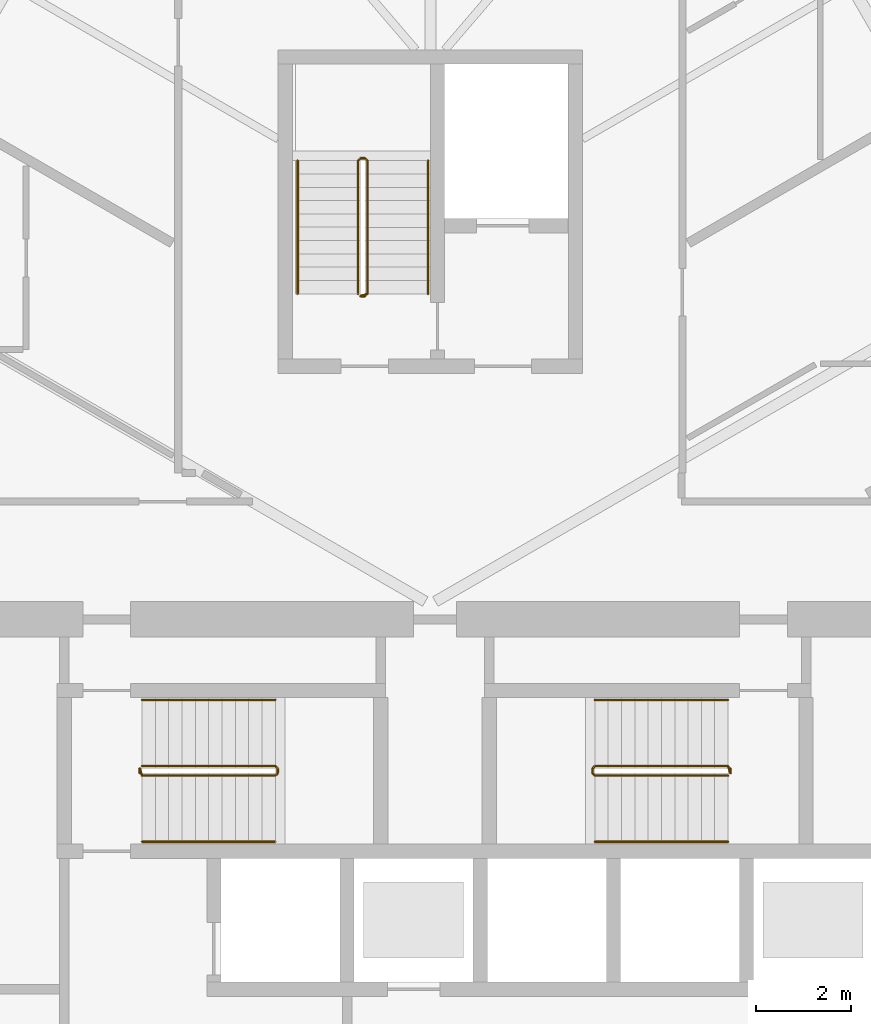
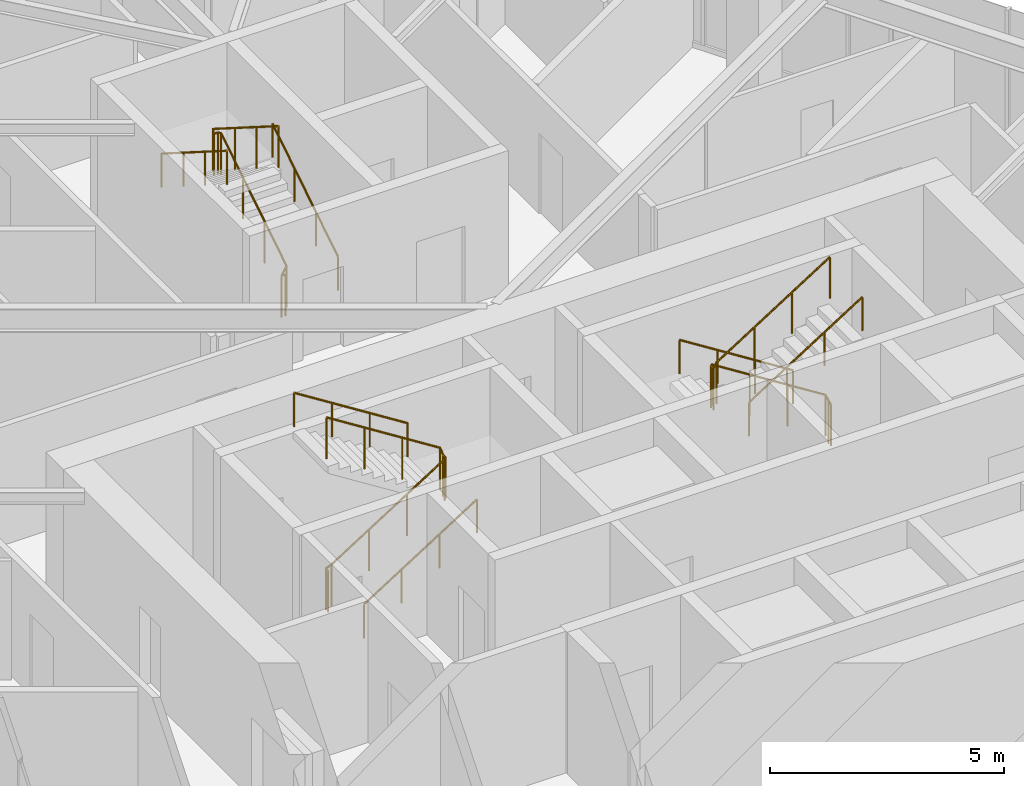
# One storey, part 23 of 24: 9 railings.
"""IFC4 building model written with IfcOpenShell, lengths in metres."""

from ifc_helpers import new_model, si_unit, direction, frame, origin, origin_2d, place, context, subcontext, project, spatial, circle, extrude, material, type_object, element, save


model = new_model("IFC4")

# Units and contexts
model_context = context("Model", 3, precision=1e-05, world=origin(), true_north=direction((0.0, 1.0)))
body_context = subcontext(model_context, "Body", "Model", "MODEL_VIEW")
ifc_project = project(units=[si_unit("LENGTHUNIT", "METRE"), si_unit("AREAUNIT", "SQUARE_METRE"), si_unit("VOLUMEUNIT", "CUBIC_METRE"), si_unit("PLANEANGLEUNIT", "RADIAN"), si_unit("MASSUNIT", "GRAM", prefix="KILO")], contexts=[model_context])

# Site, building, storey
site_placement = place(None, origin())
site = spatial("IfcSite", under=ifc_project, at=site_placement, CompositionType="ELEMENT")
building_placement = place(site_placement, origin())
building = spatial("IfcBuilding", under=site, at=building_placement, Name="Firuza Gate Tower and Library", CompositionType="ELEMENT")
storey_placement = place(building_placement, frame((0.0, 0.0, 206.5)))
storey = spatial("IfcBuildingStorey", under=building, at=storey_placement, Name="L48", CompositionType="ELEMENT", Elevation=206.5)

# Railings
ifc_material_1 = material(Name="Steel S355", Category="steel")
railing_type_1 = type_object("IfcRailingType", Name="Stair guard 1100", PredefinedType="GUARDRAIL", material=ifc_material_1)
railing_1_placement = place(storey_placement, frame((68.889892578125, 79.389892578125, 0.0)))
element("IfcRailing", 1, at=railing_1_placement, inside=storey, type_object=railing_type_1, Name="L48 ST1 stair guard 1", PredefinedType="GUARDRAIL", context=body_context, shape_type="SweptSolid", body=[
    extrude(circle(Radius=0.02392578125, at=origin_2d()), frame((0.0, 0.0, 1.076171875), z_axis=(0.0, 1.0, 0.0), x_axis=(-1.0, 0.0, 0.0)), (0.0, 0.0, 1.0), 0.10009765625),
    extrude(circle(Radius=0.02392578125, at=origin_2d()), frame((0.0, 0.10009765625, 1.076171875), z_axis=(0.210758951027, -0.631248760638, 0.74639511437), x_axis=(0.948528701346, 0.316691178788, 0.0)), (0.0, 0.0, 1.0), 0.237548828125),
    extrude(circle(Radius=0.02392578125, at=origin_2d()), frame((0.050048828125, -0.0498046875, 1.25341796875), z_axis=(0.844908973607, 0.0, 0.534910110503), x_axis=(0.0, 1.0, 0.0)), (0.0, 0.0, 1.0), 3.31396484375),
    extrude(circle(Radius=0.02392578125, at=origin_2d()), frame((2.85009765625, -0.0498046875, 3.02587890625), z_axis=(0.708833529934, 0.705375805398, 0.0), x_axis=(-0.705375805398, 0.708833529934, 0.0)), (0.0, 0.0, 1.0), 0.070556640625),
    extrude(circle(Radius=0.02392578125, at=origin_2d()), frame((2.900146484375, 0.0, 3.02587890625), z_axis=(0.0, 1.0, 0.0), x_axis=(-1.0, 0.0, 0.0)), (0.0, 0.0, 1.0), 0.10009765625),
    extrude(circle(Radius=0.02392578125, at=origin_2d()), frame((2.900146484375, 0.10009765625, 3.02587890625), z_axis=(-0.262233686654, 0.262233686654, 0.928691007369), x_axis=(-0.707106781187, -0.707106781187, 0.0)), (0.0, 0.0, 1.0), 0.19091796875),
    extrude(circle(Radius=0.02392578125, at=origin_2d()), frame((2.85009765625, 0.150146484375, 3.203125), z_axis=(-0.844908973607, 0.0, 0.534910110503), x_axis=(0.0, -1.0, 0.0)), (0.0, 0.0, 1.0), 3.31396484375),
    extrude(circle(Radius=0.02099609375, at=origin_2d()), origin(), (0.0, 0.0, 1.0), 1.052001953125),
    extrude(circle(Radius=0.02099609375, at=origin_2d()), frame((0.0, 0.10009765625, 0.0)), (0.0, 0.0, 1.0), 1.052001953125),
    extrude(circle(Radius=0.02099609375, at=origin_2d()), frame((0.050048828125, -0.0498046875, 0.17724609375)), (0.0, 0.0, 1.0), 1.052001953125),
    extrude(circle(Radius=0.02099609375, at=origin_2d()), frame((0.9833984375, -0.0498046875, 0.76806640625)), (0.0, 0.0, 1.0), 1.052001953125),
    extrude(circle(Radius=0.02099609375, at=origin_2d()), frame((1.916748046875, -0.0498046875, 1.359130859375)), (0.0, 0.0, 1.0), 1.052001953125),
    extrude(circle(Radius=0.02099609375, at=origin_2d()), frame((2.85009765625, -0.0498046875, 1.949951171875)), (0.0, 0.0, 1.0), 1.052001953125),
    extrude(circle(Radius=0.02099609375, at=origin_2d()), frame((2.900146484375, 0.0, 1.949951171875)), (0.0, 0.0, 1.0), 1.052001953125),
    extrude(circle(Radius=0.02099609375, at=origin_2d()), frame((2.900146484375, 0.10009765625, 1.949951171875)), (0.0, 0.0, 1.0), 1.052001953125),
    extrude(circle(Radius=0.02099609375, at=origin_2d()), frame((2.85009765625, 0.150146484375, 2.127197265625)), (0.0, 0.0, 1.0), 1.052001953125),
    extrude(circle(Radius=0.02099609375, at=origin_2d()), frame((1.916748046875, 0.150146484375, 2.718017578125)), (0.0, 0.0, 1.0), 1.052001953125),
    extrude(circle(Radius=0.02099609375, at=origin_2d()), frame((0.9833984375, 0.150146484375, 3.30908203125)), (0.0, 0.0, 1.0), 1.052001953125),
    extrude(circle(Radius=0.02099609375, at=origin_2d()), frame((0.050048828125, 0.150146484375, 3.89990234375)), (0.0, 0.0, 1.0), 1.052001953125),
])
railing_2_placement = place(storey_placement, frame((81.31005859375, 79.489990234375, 0.0)))
element("IfcRailing", 2, at=railing_2_placement, inside=storey, type_object=railing_type_1, Name="L48 ST2 stair guard 1", PredefinedType="GUARDRAIL", context=body_context, shape_type="SweptSolid", body=[
    extrude(circle(Radius=0.02392578125, at=origin_2d()), frame((0.0, 0.0, 1.076171875), z_axis=(0.0, -1.0, 0.0), x_axis=(1.0, 0.0, 0.0)), (0.0, 0.0, 1.0), 0.10009765625),
    extrude(circle(Radius=0.02392578125, at=origin_2d()), frame((0.0, -0.10009765625, 1.076171875), z_axis=(-0.210622194084, 0.631866582253, 0.74591079466), x_axis=(-0.948683298051, -0.316227766017, 0.0)), (0.0, 0.0, 1.0), 0.237548828125),
    extrude(circle(Radius=0.02392578125, at=origin_2d()), frame((-0.050048828125, 0.050048828125, 1.25341796875), z_axis=(-0.844908973607, 0.0, 0.534910110503), x_axis=(0.0, -1.0, 0.0)), (0.0, 0.0, 1.0), 3.31396484375),
    extrude(circle(Radius=0.02392578125, at=origin_2d()), frame((-2.85009765625, 0.050048828125, 3.02587890625), z_axis=(-0.707106781187, -0.707106781187, 0.0), x_axis=(0.707106781187, -0.707106781187, 0.0)), (0.0, 0.0, 1.0), 0.07080078125),
    extrude(circle(Radius=0.02392578125, at=origin_2d()), frame((-2.900146484375, 0.0, 3.02587890625), z_axis=(0.0, -1.0, 0.0), x_axis=(1.0, 0.0, 0.0)), (0.0, 0.0, 1.0), 0.10009765625),
    extrude(circle(Radius=0.02392578125, at=origin_2d()), frame((-2.900146484375, -0.10009765625, 3.02587890625), z_axis=(0.262321481514, -0.261041864531, 0.929001929653), x_axis=(0.705375805398, 0.708833529934, 0.0)), (0.0, 0.0, 1.0), 0.190673828125),
    extrude(circle(Radius=0.02392578125, at=origin_2d()), frame((-2.85009765625, -0.14990234375, 3.203125), z_axis=(0.844908973607, 0.0, 0.534910110503), x_axis=(0.0, 1.0, 0.0)), (0.0, 0.0, 1.0), 3.31396484375),
    extrude(circle(Radius=0.02099609375, at=origin_2d()), origin(), (0.0, 0.0, 1.0), 1.052001953125),
    extrude(circle(Radius=0.02099609375, at=origin_2d()), frame((0.0, -0.10009765625, 0.0)), (0.0, 0.0, 1.0), 1.052001953125),
    extrude(circle(Radius=0.02099609375, at=origin_2d()), frame((-0.050048828125, 0.050048828125, 0.17724609375)), (0.0, 0.0, 1.0), 1.052001953125),
    extrude(circle(Radius=0.02099609375, at=origin_2d()), frame((-0.9833984375, 0.050048828125, 0.76806640625)), (0.0, 0.0, 1.0), 1.052001953125),
    extrude(circle(Radius=0.02099609375, at=origin_2d()), frame((-1.916748046875, 0.050048828125, 1.359130859375)), (0.0, 0.0, 1.0), 1.052001953125),
    extrude(circle(Radius=0.02099609375, at=origin_2d()), frame((-2.85009765625, 0.050048828125, 1.949951171875)), (0.0, 0.0, 1.0), 1.052001953125),
    extrude(circle(Radius=0.02099609375, at=origin_2d()), frame((-2.900146484375, 0.0, 1.949951171875)), (0.0, 0.0, 1.0), 1.052001953125),
    extrude(circle(Radius=0.02099609375, at=origin_2d()), frame((-2.900146484375, -0.10009765625, 1.949951171875)), (0.0, 0.0, 1.0), 1.052001953125),
    extrude(circle(Radius=0.02099609375, at=origin_2d()), frame((-2.85009765625, -0.14990234375, 2.127197265625)), (0.0, 0.0, 1.0), 1.052001953125),
    extrude(circle(Radius=0.02099609375, at=origin_2d()), frame((-1.916748046875, -0.14990234375, 2.718017578125)), (0.0, 0.0, 1.0), 1.052001953125),
    extrude(circle(Radius=0.02099609375, at=origin_2d()), frame((-0.9833984375, -0.14990234375, 3.30908203125)), (0.0, 0.0, 1.0), 1.052001953125),
    extrude(circle(Radius=0.02099609375, at=origin_2d()), frame((-0.050048828125, -0.14990234375, 3.89990234375)), (0.0, 0.0, 1.0), 1.052001953125),
])
railing_3_placement = place(storey_placement, frame((73.6298828125, 89.419921875, 0.0)))
element("IfcRailing", 3, at=railing_3_placement, inside=storey, type_object=railing_type_1, Name="L48 ST3 stair guard 1", PredefinedType="GUARDRAIL", context=body_context, shape_type="SweptSolid", body=[
    extrude(circle(Radius=0.02392578125, at=origin_2d()), frame((0.0, 0.0, 1.076171875), z_axis=(-1.0, 0.0, 0.0), x_axis=(0.0, -1.0, 0.0)), (0.0, 0.0, 1.0), 0.099853515625),
    extrude(circle(Radius=0.02392578125, at=origin_2d()), frame((-0.099853515625, 0.0, 1.076171875), z_axis=(0.631248760638, 0.210758951027, 0.74639511437), x_axis=(-0.316691178788, 0.948528701346, 0.0)), (0.0, 0.0, 1.0), 0.237548828125),
    extrude(circle(Radius=0.02392578125, at=origin_2d()), frame((0.050048828125, 0.050048828125, 1.25341796875), z_axis=(0.0, 0.844908973607, 0.534910110503), x_axis=(-1.0, 0.0, 0.0)), (0.0, 0.0, 1.0), 3.31396484375),
    extrude(circle(Radius=0.02392578125, at=origin_2d()), frame((0.050048828125, 2.85009765625, 3.02587890625), z_axis=(-0.707106781187, 0.707106781187, 0.0), x_axis=(-0.707106781187, -0.707106781187, 0.0)), (0.0, 0.0, 1.0), 0.07080078125),
    extrude(circle(Radius=0.02392578125, at=origin_2d()), frame((0.0, 2.900146484375, 3.02587890625), z_axis=(-1.0, 0.0, 0.0), x_axis=(0.0, -1.0, 0.0)), (0.0, 0.0, 1.0), 0.099853515625),
    extrude(circle(Radius=0.02392578125, at=origin_2d()), frame((-0.099853515625, 2.900146484375, 3.02587890625), z_axis=(-0.262233686654, -0.262233686654, 0.928691007369), x_axis=(0.707106781187, -0.707106781187, 0.0)), (0.0, 0.0, 1.0), 0.19091796875),
    extrude(circle(Radius=0.02392578125, at=origin_2d()), frame((-0.14990234375, 2.85009765625, 3.203125), z_axis=(0.0, -0.844908973607, 0.534910110503), x_axis=(1.0, 0.0, 0.0)), (0.0, 0.0, 1.0), 3.31396484375),
    extrude(circle(Radius=0.02099609375, at=origin_2d()), origin(), (0.0, 0.0, 1.0), 1.052001953125),
    extrude(circle(Radius=0.02099609375, at=origin_2d()), frame((-0.099853515625, 0.0, 0.0)), (0.0, 0.0, 1.0), 1.052001953125),
    extrude(circle(Radius=0.02099609375, at=origin_2d()), frame((0.050048828125, 0.050048828125, 0.17724609375)), (0.0, 0.0, 1.0), 1.052001953125),
    extrude(circle(Radius=0.02099609375, at=origin_2d()), frame((0.050048828125, 0.9833984375, 0.76806640625)), (0.0, 0.0, 1.0), 1.052001953125),
    extrude(circle(Radius=0.02099609375, at=origin_2d()), frame((0.050048828125, 1.916748046875, 1.359130859375)), (0.0, 0.0, 1.0), 1.052001953125),
    extrude(circle(Radius=0.02099609375, at=origin_2d()), frame((0.050048828125, 2.85009765625, 1.949951171875)), (0.0, 0.0, 1.0), 1.052001953125),
    extrude(circle(Radius=0.02099609375, at=origin_2d()), frame((0.0, 2.900146484375, 1.949951171875)), (0.0, 0.0, 1.0), 1.052001953125),
    extrude(circle(Radius=0.02099609375, at=origin_2d()), frame((-0.099853515625, 2.900146484375, 1.949951171875)), (0.0, 0.0, 1.0), 1.052001953125),
    extrude(circle(Radius=0.02099609375, at=origin_2d()), frame((-0.14990234375, 2.85009765625, 2.127197265625)), (0.0, 0.0, 1.0), 1.052001953125),
    extrude(circle(Radius=0.02099609375, at=origin_2d()), frame((-0.14990234375, 1.916748046875, 2.718017578125)), (0.0, 0.0, 1.0), 1.052001953125),
    extrude(circle(Radius=0.02099609375, at=origin_2d()), frame((-0.14990234375, 0.9833984375, 3.30908203125)), (0.0, 0.0, 1.0), 1.052001953125),
    extrude(circle(Radius=0.02099609375, at=origin_2d()), frame((-0.14990234375, 0.050048828125, 3.89990234375)), (0.0, 0.0, 1.0), 1.052001953125),
])
ifc_material_2 = material(Name="Steel S355", Category="steel")
railing_type_2 = type_object("IfcRailingType", Name="Stair handrail 900", PredefinedType="HANDRAIL", material=ifc_material_2)
railing_4_placement = place(storey_placement, frame((68.93994140625, 77.949951171875, 0.17724609375)))
element("IfcRailing", 4, at=railing_4_placement, inside=storey, type_object=railing_type_2, Name="L48 ST1 stair handrail 1", PredefinedType="HANDRAIL", context=body_context, shape_type="SweptSolid", body=[
    extrude(circle(Radius=0.02392578125, at=origin_2d()), frame((0.0, 0.0, 0.8759765625), z_axis=(0.844908973607, 0.0, 0.534910110503), x_axis=(0.0, 1.0, 0.0)), (0.0, 0.0, 1.0), 3.31396484375),
    extrude(circle(Radius=0.02099609375, at=origin_2d()), origin(), (0.0, 0.0, 1.0), 0.851806640625),
    extrude(circle(Radius=0.02099609375, at=origin_2d()), frame((0.933349609375, 0.0, 0.5908203125)), (0.0, 0.0, 1.0), 0.851806640625),
    extrude(circle(Radius=0.02099609375, at=origin_2d()), frame((1.86669921875, 0.0, 1.181884765625)), (0.0, 0.0, 1.0), 0.851806640625),
    extrude(circle(Radius=0.02099609375, at=origin_2d()), frame((2.800048828125, 0.0, 1.772705078125)), (0.0, 0.0, 1.0), 0.851806640625),
])
for number, where, name in (
    (5, (71.739990234375, 80.929931640625, 2.127197265625), "L48 ST1 stair handrail 2"),
    (6, (81.260009765625, 80.929931640625, 0.17724609375), "L48 ST2 stair handrail 1"),
):
    element("IfcRailing", number, at=place(storey_placement, frame(where)), inside=storey, type_object=railing_type_2, Name=name, PredefinedType="HANDRAIL", context=body_context, shape_type="SweptSolid", body=[
        extrude(circle(Radius=0.02392578125, at=origin_2d()), frame((0.0, 0.0, 0.8759765625), z_axis=(-0.844908973607, 0.0, 0.534910110503), x_axis=(0.0, -1.0, 0.0)), (0.0, 0.0, 1.0), 3.31396484375),
        extrude(circle(Radius=0.02099609375, at=origin_2d()), origin(), (0.0, 0.0, 1.0), 0.851806640625),
        extrude(circle(Radius=0.02099609375, at=origin_2d()), frame((-0.933349609375, 0.0, 0.5908203125)), (0.0, 0.0, 1.0), 0.851806640625),
        extrude(circle(Radius=0.02099609375, at=origin_2d()), frame((-1.86669921875, 0.0, 1.181884765625)), (0.0, 0.0, 1.0), 0.851806640625),
        extrude(circle(Radius=0.02099609375, at=origin_2d()), frame((-2.800048828125, 0.0, 1.772705078125)), (0.0, 0.0, 1.0), 0.851806640625),
    ])
railing_5_placement = place(storey_placement, frame((78.4599609375, 77.949951171875, 2.127197265625)))
element("IfcRailing", 7, at=railing_5_placement, inside=storey, type_object=railing_type_2, Name="L48 ST2 stair handrail 2", PredefinedType="HANDRAIL", context=body_context, shape_type="SweptSolid", body=[
    extrude(circle(Radius=0.02392578125, at=origin_2d()), frame((0.0, 0.0, 0.8759765625), z_axis=(0.844908973607, 0.0, 0.534910110503), x_axis=(0.0, 1.0, 0.0)), (0.0, 0.0, 1.0), 3.31396484375),
    extrude(circle(Radius=0.02099609375, at=origin_2d()), origin(), (0.0, 0.0, 1.0), 0.851806640625),
    extrude(circle(Radius=0.02099609375, at=origin_2d()), frame((0.933349609375, 0.0, 0.5908203125)), (0.0, 0.0, 1.0), 0.851806640625),
    extrude(circle(Radius=0.02099609375, at=origin_2d()), frame((1.86669921875, 0.0, 1.181884765625)), (0.0, 0.0, 1.0), 0.851806640625),
    extrude(circle(Radius=0.02099609375, at=origin_2d()), frame((2.800048828125, 0.0, 1.772705078125)), (0.0, 0.0, 1.0), 0.851806640625),
])
railing_6_placement = place(storey_placement, frame((74.949951171875, 89.469970703125, 0.17724609375)))
element("IfcRailing", 8, at=railing_6_placement, inside=storey, type_object=railing_type_2, Name="L48 ST3 stair handrail 1", PredefinedType="HANDRAIL", context=body_context, shape_type="SweptSolid", body=[
    extrude(circle(Radius=0.02392578125, at=origin_2d()), frame((0.0, 0.0, 0.8759765625), z_axis=(0.0, 0.844908973607, 0.534910110503), x_axis=(-1.0, 0.0, 0.0)), (0.0, 0.0, 1.0), 3.31396484375),
    extrude(circle(Radius=0.02099609375, at=origin_2d()), origin(), (0.0, 0.0, 1.0), 0.851806640625),
    extrude(circle(Radius=0.02099609375, at=origin_2d()), frame((0.0, 0.933349609375, 0.5908203125)), (0.0, 0.0, 1.0), 0.851806640625),
    extrude(circle(Radius=0.02099609375, at=origin_2d()), frame((0.0, 1.86669921875, 1.181884765625)), (0.0, 0.0, 1.0), 0.851806640625),
    extrude(circle(Radius=0.02099609375, at=origin_2d()), frame((0.0, 2.800048828125, 1.772705078125)), (0.0, 0.0, 1.0), 0.851806640625),
])
railing_7_placement = place(storey_placement, frame((72.2099609375, 92.27001953125, 2.127197265625)))
element("IfcRailing", 9, at=railing_7_placement, inside=storey, type_object=railing_type_2, Name="L48 ST3 stair handrail 2", PredefinedType="HANDRAIL", context=body_context, shape_type="SweptSolid", body=[
    extrude(circle(Radius=0.02392578125, at=origin_2d()), frame((0.0, 0.0, 0.8759765625), z_axis=(0.0, -0.844908973607, 0.534910110503), x_axis=(1.0, 0.0, 0.0)), (0.0, 0.0, 1.0), 3.31396484375),
    extrude(circle(Radius=0.02099609375, at=origin_2d()), origin(), (0.0, 0.0, 1.0), 0.851806640625),
    extrude(circle(Radius=0.02099609375, at=origin_2d()), frame((0.0, -0.933349609375, 0.5908203125)), (0.0, 0.0, 1.0), 0.851806640625),
    extrude(circle(Radius=0.02099609375, at=origin_2d()), frame((0.0, -1.86669921875, 1.181884765625)), (0.0, 0.0, 1.0), 0.851806640625),
    extrude(circle(Radius=0.02099609375, at=origin_2d()), frame((0.0, -2.800048828125, 1.772705078125)), (0.0, 0.0, 1.0), 0.851806640625),
])

save(model, "model.ifc")
